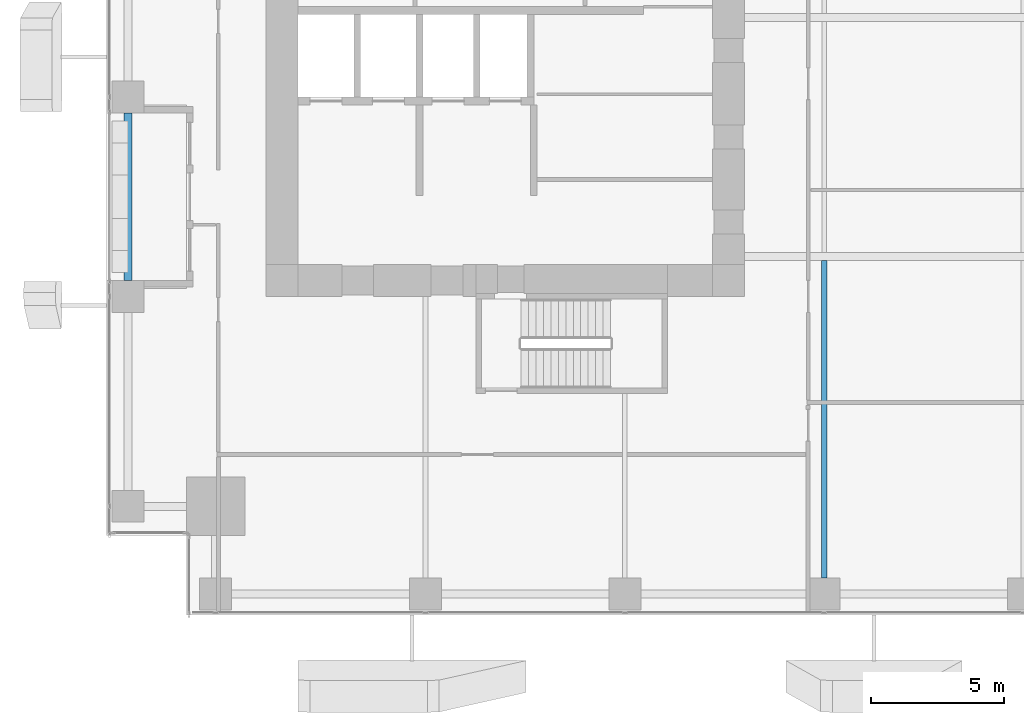
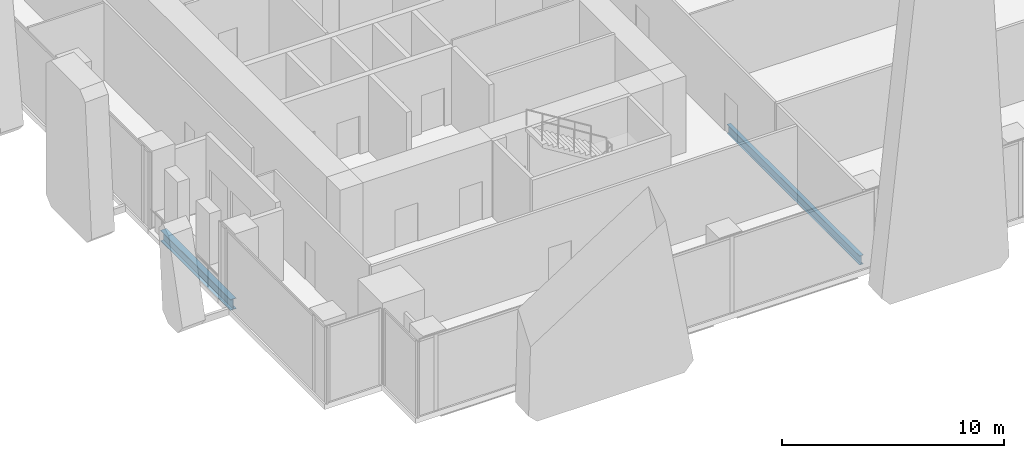
# One storey, part 4 of 34: 2 beams.
"""IFC4 building model written with IfcOpenShell, lengths in metres."""

from ifc_helpers import new_model, si_unit, direction, frame, origin, origin_2d, place, context, subcontext, project, spatial, i_section, extrude, source, transform, mapped, material, material_profile, profile_set, type_object, element, save


model = new_model("IFC4")

# Units and contexts
model_context = context("Model", 3, precision=1e-05, world=origin(), true_north=direction((0.0, 1.0)))
body_context = subcontext(model_context, "Body", "Model", "MODEL_VIEW")
ifc_project = project(units=[si_unit("LENGTHUNIT", "METRE"), si_unit("AREAUNIT", "SQUARE_METRE"), si_unit("VOLUMEUNIT", "CUBIC_METRE"), si_unit("PLANEANGLEUNIT", "RADIAN"), si_unit("MASSUNIT", "GRAM", prefix="KILO")], contexts=[model_context])

# Site, building, storey
site_placement = place(None, origin())
site = spatial("IfcSite", under=ifc_project, at=site_placement, CompositionType="ELEMENT")
building_placement = place(site_placement, origin())
building = spatial("IfcBuilding", under=site, at=building_placement, Name="Khomas Fold Tower", CompositionType="ELEMENT")
storey_placement = place(building_placement, frame((0.0, 0.0, 51.0)))
storey = spatial("IfcBuildingStorey", under=building, at=storey_placement, Name="L10", CompositionType="ELEMENT", Elevation=51.0)

# Beams
ifc_material_1 = material(Name="Steel S355", Category="steel")
ifc_material_profile_1 = material_profile(ifc_material_1, i_section(OverallWidth=0.300048828125, OverallDepth=0.60009765625, WebThickness=0.015380859375, FlangeThickness=0.030029296875, at=origin_2d()), Name="HE 600 B")
ifc_profile_set_1 = profile_set([ifc_material_profile_1], Name="Steel S355")
beam_type_1 = type_object("IfcBeamType", Name="HE 600 B spandrel SB1", PredefinedType="SPANDREL", material=ifc_profile_set_1)
shared_shape_1 = source(origin(), body_context, "Body", "SweptSolid", [
    extrude(i_section(OverallWidth=0.300048828125, OverallDepth=0.60009765625, WebThickness=0.015380859375, FlangeThickness=0.030029296875, at=origin_2d()), origin(), (0.0, 0.0, 1.0), 6.2998046875),
])
beam_1_placement = place(storey_placement, frame((0.800048828125, 12.60009765625, -0.60009765625), z_axis=(0.0, 1.0, 0.0), x_axis=(-1.0, 0.0, 0.0)))
element("IfcBeam", 1, at=beam_1_placement, inside=storey, type_object=beam_type_1, Name="SB1", PredefinedType="SPANDREL", context=body_context, shape_type="MappedRepresentation", body=[
    mapped(shared_shape_1, transform((0.0, 0.0, 0.0))),
])
ifc_material_2 = material(Name="Steel S355", Category="steel")
ifc_material_profile_2 = material_profile(ifc_material_2, i_section(OverallWidth=0.199951171875, OverallDepth=0.5, WebThickness=0.01025390625, FlangeThickness=0.01611328125, at=origin_2d()), Name="IPE 500")
ifc_profile_set_2 = profile_set([ifc_material_profile_2], Name="Steel S355")
beam_type_2 = type_object("IfcBeamType", Name="IPE 500 beam JB5", PredefinedType="BEAM", material=ifc_profile_set_2)
shared_shape_2 = source(origin(), body_context, "Body", "SweptSolid", [
    extrude(i_section(OverallWidth=0.199951171875, OverallDepth=0.5, WebThickness=0.01025390625, FlangeThickness=0.01611328125, at=origin_2d()), origin(), (0.0, 0.0, 1.0), 11.9501953125),
])
beam_2_placement = place(storey_placement, frame((27.0, 1.39990234375, -0.550048828125), z_axis=(0.0, 1.0, 0.0), x_axis=(-1.0, 0.0, 0.0)))
element("IfcBeam", 2, at=beam_2_placement, inside=storey, type_object=beam_type_2, Name="JB5", PredefinedType="BEAM", context=body_context, shape_type="MappedRepresentation", body=[
    mapped(shared_shape_2, transform((0.0, 0.0, 0.0))),
])

save(model, "model.ifc")
